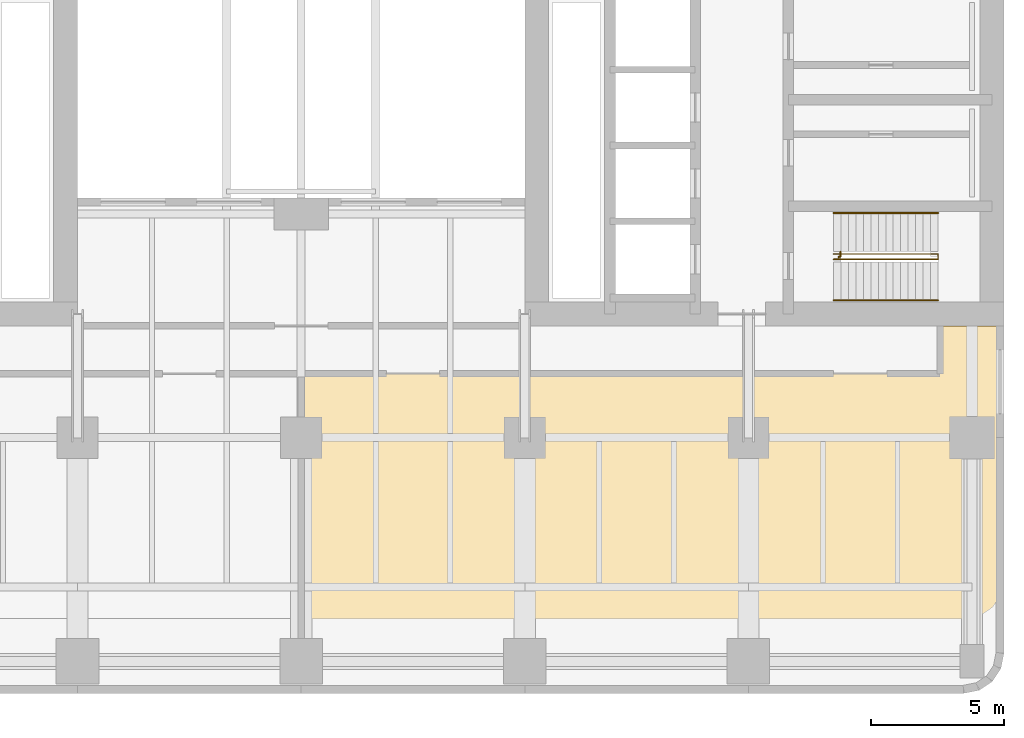
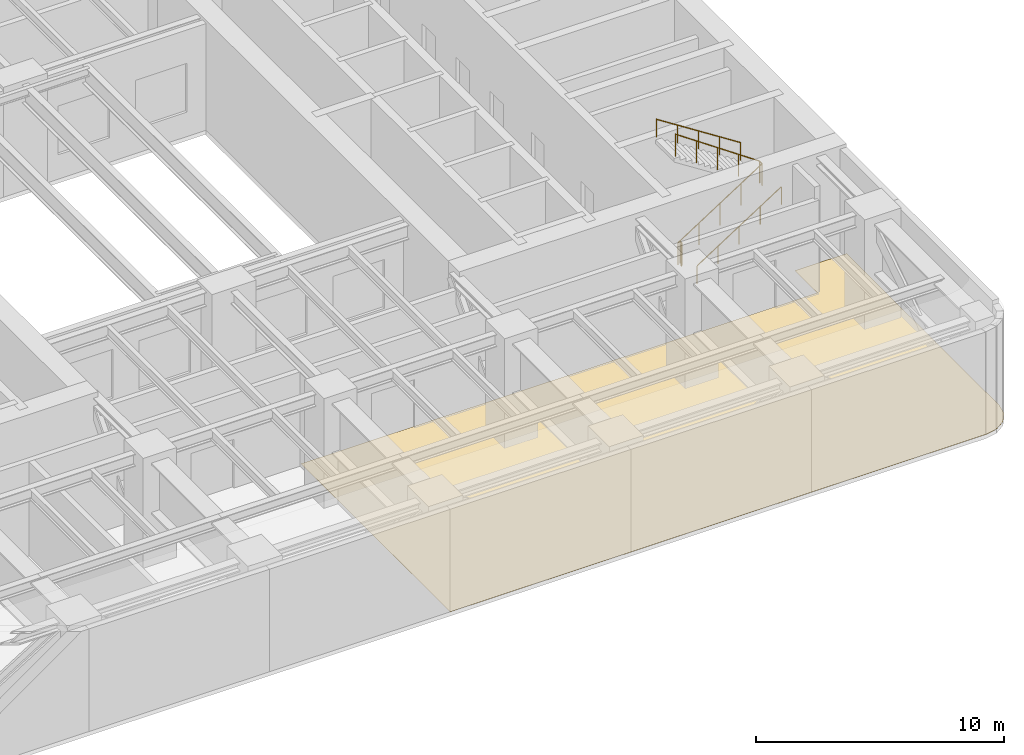
# One storey, part 9 of 11: 4 railings, 1 covering.
"""IFC4 building model written with IfcOpenShell, lengths in metres."""

from ifc_helpers import new_model, si_unit, direction, frame, origin, origin_2d, place, context, subcontext, project, spatial, polyline, circle, outline, extrude, material, layer, layer_set, type_object, element, save


model = new_model("IFC4")

# Units and contexts
model_context = context("Model", 3, precision=1e-05, world=origin(), true_north=direction((0.0, 1.0)))
body_context = subcontext(model_context, "Body", "Model", "MODEL_VIEW")
ifc_project = project(units=[si_unit("LENGTHUNIT", "METRE"), si_unit("AREAUNIT", "SQUARE_METRE"), si_unit("VOLUMEUNIT", "CUBIC_METRE"), si_unit("PLANEANGLEUNIT", "RADIAN"), si_unit("MASSUNIT", "GRAM", prefix="KILO")], contexts=[model_context])

# Site, building, storey
site_placement = place(None, origin())
site = spatial("IfcSite", under=ifc_project, at=site_placement, CompositionType="ELEMENT")
building_placement = place(site_placement, origin())
building = spatial("IfcBuilding", under=site, at=building_placement, Name="Claustro Exchange Tower", CompositionType="ELEMENT")
storey_placement = place(building_placement, frame((0.0, 0.0, 90.89990234375)))
storey = spatial("IfcBuildingStorey", under=building, at=storey_placement, Name="L20", CompositionType="ELEMENT", Elevation=90.89990234375)

# Covering
ifc_material_1 = material(Name="Epoxy resin floor finish", Category="resin")
ifc_layer = layer(ifc_material_1, 0.006103515625)
ifc_layer_set = layer_set([ifc_layer], Name="Epoxy resin floor finish")
covering_type = type_object("IfcCoveringType", Name="FL2 resin plant room floor", PredefinedType="FLOORING", material=ifc_layer_set)
covering_placement = place(storey_placement, origin())
element("IfcCovering", 1, at=covering_placement, inside=storey, type_object=covering_type, Name="Resin floor FL2 L20-02", PredefinedType="FLOORING", context=body_context, shape_type="SweptSolid", body=[
    extrude(outline(polyline([(51.60009765625, 12.60009765625), (49.199951171875, 12.60009765625), (49.199951171875, 10.800048828125), (25.199951171875, 10.800048828125), (25.199951171875, -1.199951171875), (50.10009765625, -1.199951171875), (50.674072265625, -1.085693359375), (51.16064453125, -0.7607421875), (51.48583984375, -0.27392578125), (51.60009765625, 0.300048828125), (51.60009765625, 12.60009765625)])), origin(), (0.0, 0.0, 1.0), 0.006103515625),
])

# Railings
ifc_material_2 = material(Name="Steel balustrade, painted", Category="steel")
railing_type_1 = type_object("IfcRailingType", Name="GR2 1100 steel stair guard", PredefinedType="GUARDRAIL", material=ifc_material_2)
railing_1_placement = place(storey_placement, frame((45.199951171875, 15.10009765625, 0.18017578125)))
element("IfcRailing", 2, at=railing_1_placement, inside=storey, type_object=railing_type_1, Name="Stair well guard GR2 stair STEA L20", PredefinedType="GUARDRAIL", context=body_context, shape_type="SweptSolid", body=[
    extrude(circle(Radius=0.02392578125, at=origin_2d()), frame((0.0, 0.0, 1.076171875), z_axis=(0.841186985886, 0.0, 0.540744352514), x_axis=(0.0, 1.0, 0.0)), (0.0, 0.0, 1.0), 4.660400390625),
    extrude(circle(Radius=0.02392578125, at=origin_2d()), frame((3.920166015625, 0.0, 3.59619140625), z_axis=(0.0, 1.0, 0.0), x_axis=(-1.0, 0.0, 0.0)), (0.0, 0.0, 1.0), 0.199951171875),
    extrude(circle(Radius=0.02392578125, at=origin_2d()), frame((3.920166015625, 0.199951171875, 3.59619140625), z_axis=(-0.823567234665, 0.0, 0.567218661528), x_axis=(0.0, -1.0, 0.0)), (0.0, 0.0, 1.0), 4.760009765625),
    extrude(circle(Radius=0.02099609375, at=origin_2d()), origin(), (0.0, 0.0, 1.0), 1.052001953125),
    extrude(circle(Radius=0.02099609375, at=origin_2d()), frame((0.97998046875, 0.0, 0.6298828125)), (0.0, 0.0, 1.0), 1.052001953125),
    extrude(circle(Radius=0.02099609375, at=origin_2d()), frame((1.9599609375, 0.0, 1.260009765625)), (0.0, 0.0, 1.0), 1.052001953125),
    extrude(circle(Radius=0.02099609375, at=origin_2d()), frame((2.940185546875, 0.0, 1.89013671875)), (0.0, 0.0, 1.0), 1.052001953125),
    extrude(circle(Radius=0.02099609375, at=origin_2d()), frame((3.920166015625, 0.0, 2.52001953125)), (0.0, 0.0, 1.0), 1.052001953125),
    extrude(circle(Radius=0.02099609375, at=origin_2d()), frame((3.920166015625, 0.199951171875, 2.52001953125)), (0.0, 0.0, 1.0), 1.052001953125),
    extrude(circle(Radius=0.02099609375, at=origin_2d()), frame((2.940185546875, 0.199951171875, 3.195068359375)), (0.0, 0.0, 1.0), 1.052001953125),
    extrude(circle(Radius=0.02099609375, at=origin_2d()), frame((1.9599609375, 0.199951171875, 3.8701171875)), (0.0, 0.0, 1.0), 1.052001953125),
    extrude(circle(Radius=0.02099609375, at=origin_2d()), frame((0.97998046875, 0.199951171875, 4.544921875)), (0.0, 0.0, 1.0), 1.052001953125),
    extrude(circle(Radius=0.02099609375, at=origin_2d()), frame((0.0, 0.199951171875, 5.219970703125)), (0.0, 0.0, 1.0), 1.052001953125),
])
railing_2_placement = place(storey_placement, frame((45.39990234375, 15.169921875, 0.0)))
element("IfcRailing", 3, at=railing_2_placement, inside=storey, type_object=railing_type_1, Name="Stair guard GR2 STEA L20", PredefinedType="GUARDRAIL", context=body_context, shape_type="SweptSolid", body=[
    extrude(circle(Radius=0.02392578125, at=origin_2d()), frame((0.0, 0.0, 1.076171875), z_axis=(0.0, 1.0, 0.0), x_axis=(-1.0, 0.0, 0.0)), (0.0, 0.0, 1.0), 0.030029296875),
    extrude(circle(Radius=0.02392578125, at=origin_2d()), frame((0.0, 0.030029296875, 1.076171875), z_axis=(1.0, 0.0, 0.0), x_axis=(0.0, 1.0, 0.0)), (0.0, 0.0, 1.0), 0.05517578125),
    extrude(circle(Radius=0.02392578125, at=origin_2d()), frame((0.05517578125, 0.030029296875, 1.076171875), z_axis=(0.0, 1.0, 0.0), x_axis=(-1.0, 0.0, 0.0)), (0.0, 0.0, 1.0), 0.179931640625),
    extrude(circle(Radius=0.02099609375, at=origin_2d()), origin(), (0.0, 0.0, 1.0), 1.052001953125),
    extrude(circle(Radius=0.02099609375, at=origin_2d()), frame((0.0, 0.030029296875, 0.0)), (0.0, 0.0, 1.0), 1.052001953125),
    extrude(circle(Radius=0.02099609375, at=origin_2d()), frame((0.05517578125, 0.030029296875, 0.0)), (0.0, 0.0, 1.0), 1.052001953125),
    extrude(circle(Radius=0.02099609375, at=origin_2d()), frame((0.05517578125, 0.2099609375, 0.0)), (0.0, 0.0, 1.0), 1.052001953125),
])
ifc_material_3 = material(Name="Stainless steel tube", Category="steel")
railing_type_2 = type_object("IfcRailingType", Name="HR1 900 stair handrail", PredefinedType="HANDRAIL", material=ifc_material_3)
railing_3_placement = place(storey_placement, frame((45.199951171875, 13.56005859375, 0.18017578125)))
element("IfcRailing", 4, at=railing_3_placement, inside=storey, type_object=railing_type_2, Name="Handrail HR1 stair STEA L20", PredefinedType="HANDRAIL", context=body_context, shape_type="SweptSolid", body=[
    extrude(circle(Radius=0.02392578125, at=origin_2d()), frame((0.0, 0.0, 0.8759765625), z_axis=(0.841186985886, 0.0, 0.540744352514), x_axis=(0.0, 1.0, 0.0)), (0.0, 0.0, 1.0), 4.660400390625),
    extrude(circle(Radius=0.02099609375, at=origin_2d()), origin(), (0.0, 0.0, 1.0), 0.851806640625),
    extrude(circle(Radius=0.02099609375, at=origin_2d()), frame((0.97998046875, 0.0, 0.6298828125)), (0.0, 0.0, 1.0), 0.851806640625),
    extrude(circle(Radius=0.02099609375, at=origin_2d()), frame((1.9599609375, 0.0, 1.260009765625)), (0.0, 0.0, 1.0), 0.851806640625),
    extrude(circle(Radius=0.02099609375, at=origin_2d()), frame((2.940185546875, 0.0, 1.89013671875)), (0.0, 0.0, 1.0), 0.851806640625),
    extrude(circle(Radius=0.02099609375, at=origin_2d()), frame((3.920166015625, 0.0, 2.52001953125)), (0.0, 0.0, 1.0), 0.851806640625),
])
railing_4_placement = place(storey_placement, frame((49.1201171875, 16.840087890625, 2.880126953125)))
element("IfcRailing", 5, at=railing_4_placement, inside=storey, type_object=railing_type_2, Name="Handrail HR1 stair STEA L20", PredefinedType="HANDRAIL", context=body_context, shape_type="SweptSolid", body=[
    extrude(circle(Radius=0.02392578125, at=origin_2d()), frame((0.0, 0.0, 0.8759765625), z_axis=(-0.841186985886, 0.0, 0.540744352514), x_axis=(0.0, -1.0, 0.0)), (0.0, 0.0, 1.0), 4.660400390625),
    extrude(circle(Radius=0.02099609375, at=origin_2d()), origin(), (0.0, 0.0, 1.0), 0.851806640625),
    extrude(circle(Radius=0.02099609375, at=origin_2d()), frame((-0.97998046875, 0.0, 0.6298828125)), (0.0, 0.0, 1.0), 0.851806640625),
    extrude(circle(Radius=0.02099609375, at=origin_2d()), frame((-1.9599609375, 0.0, 1.260009765625)), (0.0, 0.0, 1.0), 0.851806640625),
    extrude(circle(Radius=0.02099609375, at=origin_2d()), frame((-2.940185546875, 0.0, 1.89013671875)), (0.0, 0.0, 1.0), 0.851806640625),
    extrude(circle(Radius=0.02099609375, at=origin_2d()), frame((-3.920166015625, 0.0, 2.52001953125)), (0.0, 0.0, 1.0), 0.851806640625),
])

save(model, "model.ifc")
